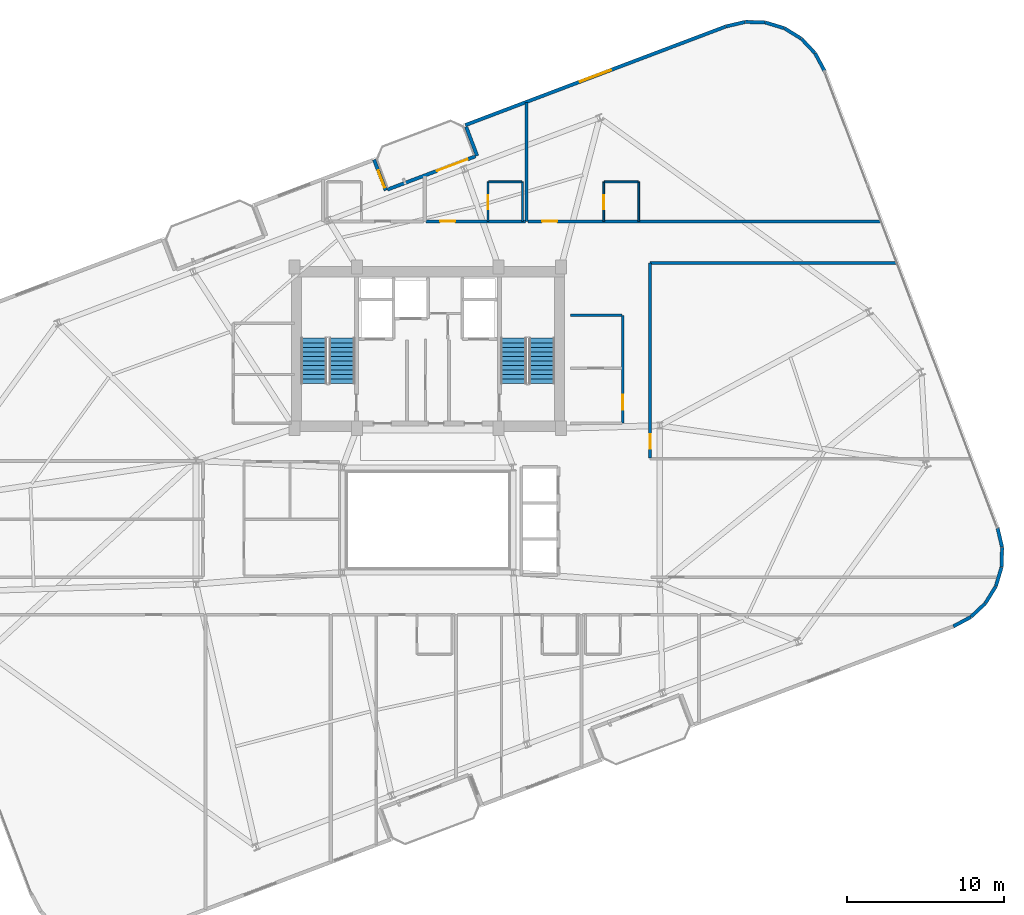
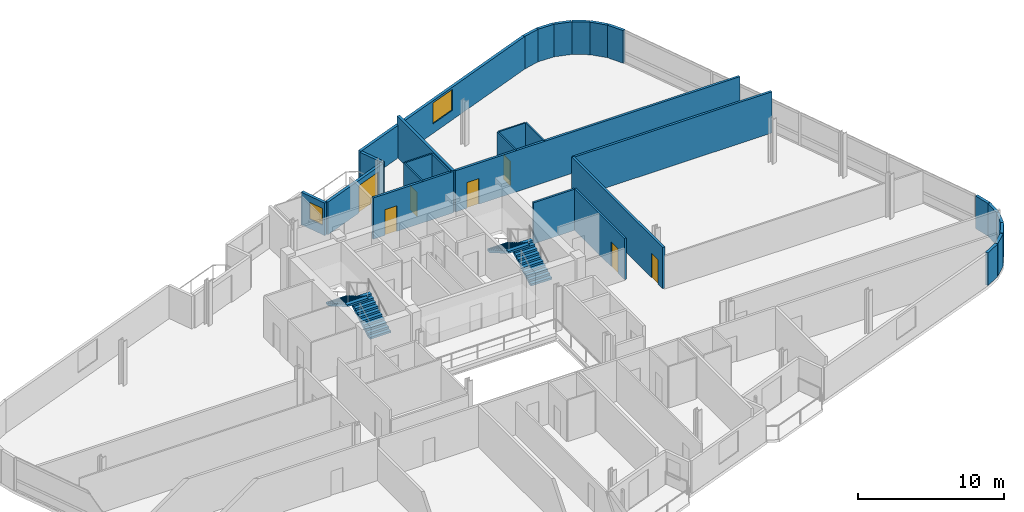
# One storey, part 17 of 20: 29 walls, 7 doors, 4 stair flights, 2 windows, 9 openings, 2 elements without a shape of their own.
"""IFC4 building model written with IfcOpenShell, lengths in metres."""

from ifc_helpers import new_model, si_unit, direction, frame, frame_2d, origin, place, context, subcontext, project, spatial, polyline, rectangle, outline, extrude, material, layer, layer_set, type_object, element, fill, aggregate, save


model = new_model("IFC4")

# Units and contexts
model_context = context("Model", 3, precision=1e-05, world=origin(), true_north=direction((0.0, 1.0)))
body_context = subcontext(model_context, "Body", "Model", "MODEL_VIEW")
ifc_project = project(units=[si_unit("LENGTHUNIT", "METRE"), si_unit("AREAUNIT", "SQUARE_METRE"), si_unit("VOLUMEUNIT", "CUBIC_METRE"), si_unit("PLANEANGLEUNIT", "RADIAN"), si_unit("MASSUNIT", "GRAM", prefix="KILO")], contexts=[model_context])

# Site, building, storey
site_placement = place(None, origin())
site = spatial("IfcSite", under=ifc_project, at=site_placement, CompositionType="ELEMENT")
building_placement = place(site_placement, origin())
building = spatial("IfcBuilding", under=site, at=building_placement, Name="Varnelok Gate Tower", CompositionType="ELEMENT")
storey_placement = place(building_placement, frame((0.0, 0.0, 234.89990234375)))
storey = spatial("IfcBuildingStorey", under=building, at=storey_placement, Name="L60", CompositionType="ELEMENT", Elevation=234.89990234375)

# Wall, opening, door
ifc_material_1 = material(Name="Concrete C45/55", Category="concrete")
ifc_layer_1 = layer(ifc_material_1, 0.219970703125)
ifc_layer_set_1 = layer_set([ifc_layer_1], Name="Concrete C45/55")
wall_type_1 = type_object("IfcWallType", Name="EW-BALC-220", PredefinedType="SOLIDWALL", material=ifc_layer_set_1)
wall_1_placement = place(storey_placement, frame((36.61669921875, 43.98583984375, 0.0), z_axis=(0.0, 0.0, 1.0), x_axis=(0.935227640088, 0.354046976001, 0.0)))
wall_1 = element("IfcWall", 1, at=wall_1_placement, inside=storey, type_object=wall_type_1, Name="L60 North Terrace Envelope Wall 4", PredefinedType="SOLIDWALL", context=body_context, shape_type="SweptSolid", body=[
    extrude(rectangle(XDim=6.0, YDim=0.219970703125, at=frame_2d((3.0, 0.0))), origin(), (0.0, 0.0, 1.0), 2.72998046875),
])
opening_1_placement = place(wall_1_placement, frame((3.376220703125, 0.0, 0.0)))
opening_1 = element("IfcOpeningElement", 2, at=opening_1_placement, cuts=wall_1, Name="Opening BD-2", PredefinedType="OPENING", context=body_context, shape_type="SweptSolid", body=[
    extrude(rectangle(XDim=2.10009765625, YDim=2.300048828125, at=frame_2d((1.050048828125, 1.14990234375))), frame((0.0, 0.119873046875, 0.0), z_axis=(0.0, -1.0, 0.0), x_axis=(1.0, 0.0, 0.0)), (0.0, 0.0, 1.0), 0.239990234375),
])
ifc_material_2 = material(Name="Anodized Aluminum Alloy 6063-T6", Category="aluminium")
door_type_1 = type_object("IfcDoorType", Name="DR-EXT-SLID2100", OperationType="SLIDING_TO_LEFT", PredefinedType="DOOR", material=ifc_material_2)
door_1_placement = place(opening_1_placement, origin())
door_1 = element("IfcDoor", 3, at=door_1_placement, inside=storey, type_object=door_type_1, Name="L60 North Balcony Glazed Door 4", OperationType="SLIDING_TO_LEFT", OverallHeight=2.300048828125, OverallWidth=2.10009765625, PredefinedType="DOOR", context=body_context, shape_type="SweptSolid", body=[
    extrude(rectangle(XDim=2.10009765625, YDim=2.300048828125, at=frame_2d((1.050048828125, 1.14990234375))), frame((0.0, 0.02490234375, 0.0), z_axis=(0.0, -1.0, 0.0), x_axis=(1.0, 0.0, 0.0)), (0.0, 0.0, 1.0), 0.050048828125),
])
fill(opening_1, door_1)

# Walls
wall_2_placement = place(storey_placement, frame((72.74560546875, 16.10498046875, 0.0), z_axis=(0.0, 0.0, 1.0), x_axis=(0.881112879796, 0.472906008693, 0.0)))
element("IfcWall", 4, at=wall_2_placement, inside=storey, type_object=wall_type_1, Name="L60 Perimeter Facade Closure Wall 14", PredefinedType="SOLIDWALL", context=body_context, shape_type="SweptSolid", body=[
    extrude(rectangle(XDim=1.256591796875, YDim=0.219970703125, at=frame_2d((0.62841796875, 0.0))), origin(), (0.0, 0.0, 1.0), 2.72998046875),
])
wall_3_placement = place(storey_placement, frame((73.870849609375, 16.716552734375, 0.0), z_axis=(0.0, 0.0, 1.0), x_axis=(0.728475443486, 0.685071914647, 0.0)))
element("IfcWall", 5, at=wall_3_placement, inside=storey, type_object=wall_type_1, Name="L60 Perimeter Facade Closure Wall 15", PredefinedType="SOLIDWALL", context=body_context, shape_type="SweptSolid", body=[
    extrude(rectangle(XDim=1.248779296875, YDim=0.219970703125, at=frame_2d((0.62451171875, 0.0))), origin(), (0.0, 0.0, 1.0), 2.72998046875),
])
for number, where, z_axis, x_axis, name in (
    (6, (74.793701171875, 17.59326171875, 0.0), (0.0, 0.0, 1.0), (0.526549805576, 0.850144283194, 0.0), "L60 Perimeter Facade Closure Wall 16"),
    (7, (75.458251953125, 18.6787109375, 0.0), (0.0, 0.0, 1.0), (0.288406081086, 0.957508189204, 0.0), "L60 Perimeter Facade Closure Wall 17"),
):
    element("IfcWall", number, at=place(storey_placement, frame(where, z_axis=z_axis, x_axis=x_axis)), inside=storey, type_object=wall_type_1, Name=name, PredefinedType="SOLIDWALL", context=body_context, shape_type="SweptSolid", body=[
        extrude(rectangle(XDim=1.24853515625, YDim=0.219970703125, at=frame_2d((0.624267578125, 0.0))), origin(), (0.0, 0.0, 1.0), 2.72998046875),
    ])
wall_4_placement = place(storey_placement, frame((75.819091796875, 19.8994140625, 0.0), z_axis=(0.0, 0.0, 1.0), x_axis=(0.030898954628, 0.999522513305, 0.0)))
element("IfcWall", 8, at=wall_4_placement, inside=storey, type_object=wall_type_1, Name="L60 Perimeter Facade Closure Wall 18", PredefinedType="SOLIDWALL", context=body_context, shape_type="SweptSolid", body=[
    extrude(rectangle(XDim=1.248291015625, YDim=0.219970703125, at=frame_2d((0.6240234375, 0.0))), origin(), (0.0, 0.0, 1.0), 2.72998046875),
])
wall_5_placement = place(storey_placement, frame((75.851806640625, 21.171630859375, 0.0), z_axis=(0.0, 0.0, 1.0), x_axis=(-0.228941257463, 0.973440239887, 0.0)))
element("IfcWall", 9, at=wall_5_placement, inside=storey, type_object=wall_type_1, Name="L60 Perimeter Facade Closure Wall 19", PredefinedType="SOLIDWALL", context=body_context, shape_type="SweptSolid", body=[
    extrude(rectangle(XDim=1.248779296875, YDim=0.219970703125, at=frame_2d((0.62451171875, 0.0))), origin(), (0.0, 0.0, 1.0), 2.72998046875),
])
wall_6_placement = place(storey_placement, frame((64.519287109375, 51.566162109375, 0.0), z_axis=(0.0, 0.0, 1.0), x_axis=(-0.473093575122, 0.881012184466, 0.0)))
element("IfcWall", 10, at=wall_6_placement, inside=storey, type_object=wall_type_1, Name="L60 Perimeter Facade Closure Wall 20", PredefinedType="SOLIDWALL", context=body_context, shape_type="SweptSolid", body=[
    extrude(rectangle(XDim=1.273681640625, YDim=0.219970703125, at=frame_2d((0.63671875, 0.0))), origin(), (0.0, 0.0, 1.0), 2.72998046875),
])
for number, where, z_axis, x_axis, name in (
    (11, (63.8994140625, 52.706298828125, 0.0), (0.0, 0.0, 1.0), (-0.684870565369, 0.728664743686, 0.0), "L60 Perimeter Facade Closure Wall 21"),
    (12, (63.02294921875, 53.629150390625, 0.0), (0.0, 0.0, 1.0), (-0.850198480006, 0.526462291712, 0.0), "L60 Perimeter Facade Closure Wall 22"),
):
    element("IfcWall", number, at=place(storey_placement, frame(where, z_axis=z_axis, x_axis=x_axis)), inside=storey, type_object=wall_type_1, Name=name, PredefinedType="SOLIDWALL", context=body_context, shape_type="SweptSolid", body=[
        extrude(rectangle(XDim=1.248779296875, YDim=0.219970703125, at=frame_2d((0.62451171875, 0.0))), origin(), (0.0, 0.0, 1.0), 2.72998046875),
    ])
for number, where, z_axis, x_axis, name in (
    (13, (61.937255859375, 54.293701171875, 0.0), (0.0, 0.0, 1.0), (-0.957508189204, 0.288406081086, 0.0), "L60 Perimeter Facade Closure Wall 23"),
    (14, (60.716796875, 54.65478515625, 0.0), (0.0, 0.0, 1.0), (-0.999528718359, 0.030697576053, 0.0), "L60 Perimeter Facade Closure Wall 24"),
):
    element("IfcWall", number, at=place(storey_placement, frame(where, z_axis=z_axis, x_axis=x_axis)), inside=storey, type_object=wall_type_1, Name=name, PredefinedType="SOLIDWALL", context=body_context, shape_type="SweptSolid", body=[
        extrude(rectangle(XDim=1.24853515625, YDim=0.219970703125, at=frame_2d((0.624267578125, 0.0))), origin(), (0.0, 0.0, 1.0), 2.72998046875),
    ])
wall_7_placement = place(storey_placement, frame((59.4443359375, 54.6875, 0.0), z_axis=(0.0, 0.0, 1.0), x_axis=(-0.973409523464, -0.229071821989, 0.0)))
element("IfcWall", 15, at=wall_7_placement, inside=storey, type_object=wall_type_1, Name="L60 Perimeter Facade Closure Wall 25", PredefinedType="SOLIDWALL", context=body_context, shape_type="SweptSolid", body=[
    extrude(rectangle(XDim=1.256591796875, YDim=0.219970703125, at=frame_2d((0.62841796875, 0.0))), origin(), (0.0, 0.0, 1.0), 2.72998046875),
])

# Wall, opening, window
wall_8_placement = place(storey_placement, frame((58.19775390625, 54.390869140625, 0.0), z_axis=(0.0, 0.0, 1.0), x_axis=(-0.935223849772, -0.354056988094, 0.0)))
wall_8 = element("IfcWall", 16, at=wall_8_placement, inside=storey, type_object=wall_type_1, Name="L60 Perimeter Facade Closure Wall 26", PredefinedType="SOLIDWALL", context=body_context, shape_type="SweptSolid", body=[
    extrude(rectangle(XDim=17.7470703125, YDim=0.219970703125, at=frame_2d((8.87353515625, 0.0))), origin(), (0.0, 0.0, 1.0), 2.72998046875),
])
opening_2_placement = place(wall_8_placement, frame((7.823486328125, 0.0, 0.800048828125)))
opening_2 = element("IfcOpeningElement", 17, at=opening_2_placement, cuts=wall_8, Name="Opening WN4", PredefinedType="OPENING", context=body_context, shape_type="SweptSolid", body=[
    extrude(rectangle(XDim=2.10009765625, YDim=1.75, at=frame_2d((1.050048828125, 0.875))), frame((0.0, 0.119873046875, 0.0), z_axis=(0.0, -1.0, 0.0), x_axis=(1.0, 0.0, 0.0)), (0.0, 0.0, 1.0), 0.239990234375),
])
ifc_material_3 = material(Name="Low-E Laminated Double Glazing IGU", Category="glass")
window_type_1 = type_object("IfcWindowType", Name="WN-SUI-2100", PartitioningType="SINGLE_PANEL", PredefinedType="WINDOW", material=ifc_material_3)
window_1_placement = place(opening_2_placement, origin())
window_1 = element("IfcWindow", 18, at=window_1_placement, inside=storey, type_object=window_type_1, Name="L60 Perimeter Vision Window 26", OverallHeight=1.75, OverallWidth=2.10009765625, PartitioningType="SINGLE_PANEL", PredefinedType="WINDOW", context=body_context, shape_type="SweptSolid", body=[
    extrude(rectangle(XDim=2.10009765625, YDim=1.75, at=frame_2d((1.050048828125, 0.875))), frame((0.0, 0.030029296875, 0.0), z_axis=(0.0, -1.0, 0.0), x_axis=(1.0, 0.0, 0.0)), (0.0, 0.0, 1.0), 0.06005859375),
])
fill(opening_2, window_1)

# Wall
wall_9_placement = place(storey_placement, frame((41.64453125, 47.990478515625, 0.0), z_axis=(0.0, 0.0, 1.0), x_axis=(0.354020680661, -0.935237594232, 0.0)))
element("IfcWall", 19, at=wall_9_placement, inside=storey, type_object=wall_type_1, Name="L60 Perimeter Facade Closure Wall 27", PredefinedType="SOLIDWALL", context=body_context, shape_type="SweptSolid", body=[
    extrude(rectangle(XDim=1.97509765625, YDim=0.219970703125, at=frame_2d((0.987548828125, 0.0))), origin(), (0.0, 0.0, 1.0), 2.72998046875),
])

# Wall, opening, window
wall_10_placement = place(storey_placement, frame((36.508056640625, 43.93408203125, 0.0), z_axis=(0.0, 0.0, 1.0), x_axis=(-0.354128469405, 0.935196785258, 0.0)))
wall_10 = element("IfcWall", 20, at=wall_10_placement, inside=storey, type_object=wall_type_1, Name="L60 Perimeter Facade Closure Wall 28", PredefinedType="SOLIDWALL", context=body_context, shape_type="SweptSolid", body=[
    extrude(rectangle(XDim=2.099853515625, YDim=0.219970703125, at=frame_2d((1.0498046875, 0.0))), origin(), (0.0, 0.0, 1.0), 2.72998046875),
])
opening_3_placement = place(wall_10_placement, frame((0.199951171875, 0.0, 0.800048828125)))
opening_3 = element("IfcOpeningElement", 21, at=opening_3_placement, cuts=wall_10, Name="Opening WN8", PredefinedType="OPENING", context=body_context, shape_type="SweptSolid", body=[
    extrude(rectangle(XDim=1.14990234375, YDim=1.39990234375, at=frame_2d((0.574951171875, 0.699951171875))), frame((0.0, 0.119873046875, 0.0), z_axis=(0.0, -1.0, 0.0), x_axis=(1.0, 0.0, 0.0)), (0.0, 0.0, 1.0), 0.239990234375),
])
window_type_2 = type_object("IfcWindowType", Name="WN-BED-1150", PartitioningType="SINGLE_PANEL", PredefinedType="WINDOW", material=ifc_material_3)
window_2_placement = place(opening_3_placement, origin())
window_2 = element("IfcWindow", 22, at=window_2_placement, inside=storey, type_object=window_type_2, Name="L60 Bedroom Vision Window 42", OverallHeight=1.39990234375, OverallWidth=1.14990234375, PartitioningType="SINGLE_PANEL", PredefinedType="WINDOW", context=body_context, shape_type="SweptSolid", body=[
    extrude(rectangle(XDim=1.14990234375, YDim=1.39990234375, at=frame_2d((0.574951171875, 0.699951171875))), frame((0.0, 0.030029296875, 0.0), z_axis=(0.0, -1.0, 0.0), x_axis=(1.0, 0.0, 0.0)), (0.0, 0.0, 1.0), 0.06005859375),
])
fill(opening_3, window_2)

# Wall, opening, door
ifc_material_4 = material(Name="Gypsum Plasterboard Acoustic Partition", Category="gypsum")
ifc_layer_2 = layer(ifc_material_4, 0.179931640625)
ifc_layer_set_2 = layer_set([ifc_layer_2], Name="Gypsum Plasterboard Acoustic Partition")
wall_type_2 = type_object("IfcWallType", Name="PW-CORR-180", PredefinedType="PARTITIONING", material=ifc_layer_set_2)
wall_11_placement = place(storey_placement, frame((39.080078125, 41.9599609375, 0.0), z_axis=(0.0, 0.0, 1.0), x_axis=(1.0, 0.0, 0.0)))
wall_11 = element("IfcWall", 23, at=wall_11_placement, inside=storey, type_object=wall_type_2, Name="Interior Partition", PredefinedType="PARTITIONING", context=body_context, shape_type="SweptSolid", body=[
    extrude(rectangle(XDim=6.33984375, YDim=0.179931640625, at=frame_2d((3.169921875, 0.0))), origin(), (0.0, 0.0, 1.0), 3.4501953125),
])
opening_4_placement = place(wall_11_placement, frame((0.90966796875, 0.0, 0.0)))
opening_4 = element("IfcOpeningElement", 24, at=opening_4_placement, cuts=wall_11, Name="Opening D-HT", PredefinedType="OPENING", context=body_context, shape_type="SweptSolid", body=[
    extrude(rectangle(XDim=0.949951171875, YDim=2.14990234375, at=frame_2d((0.47509765625, 1.074951171875))), frame((0.0, 0.099853515625, 0.0), z_axis=(0.0, -1.0, 0.0), x_axis=(1.0, 0.0, 0.0)), (0.0, 0.0, 1.0), 0.199951171875),
])
ifc_material_5 = material(Name="Engineered Hardwood Timber", Category="wood")
door_type_2 = type_object("IfcDoorType", Name="DR-HTL-950", OperationType="NOTDEFINED", PredefinedType="DOOR", material=ifc_material_5)
door_2_placement = place(opening_4_placement, origin())
door_2 = element("IfcDoor", 25, at=door_2_placement, inside=storey, type_object=door_type_2, Name="L60 Guest Room 09 Entrance Door", OperationType="SINGLE_SWING_RIGHT", OverallHeight=2.14990234375, OverallWidth=0.949951171875, PredefinedType="DOOR", context=body_context, shape_type="SweptSolid", body=[
    extrude(rectangle(XDim=0.949951171875, YDim=2.14990234375, at=frame_2d((0.47509765625, 1.074951171875))), frame((0.0, 0.02490234375, 0.0), z_axis=(0.0, -1.0, 0.0), x_axis=(1.0, 0.0, 0.0)), (0.0, 0.0, 1.0), 0.050048828125),
])
fill(opening_4, door_2)

wall_12_placement = place(storey_placement, frame((45.580078125, 41.9599609375, 0.0), z_axis=(0.0, 0.0, 1.0), x_axis=(1.0, 0.0, 0.0)))
wall_12 = element("IfcWall", 26, at=wall_12_placement, inside=storey, type_object=wall_type_2, Name="Interior Partition", PredefinedType="PARTITIONING", context=body_context, shape_type="SweptSolid", body=[
    extrude(rectangle(XDim=22.515625, YDim=0.179931640625, at=frame_2d((11.2578125, 0.0))), origin(), (0.0, 0.0, 1.0), 3.4501953125),
])
opening_5_placement = place(wall_12_placement, frame((0.916015625, 0.0, 0.0)))
opening_5 = element("IfcOpeningElement", 27, at=opening_5_placement, cuts=wall_12, Name="Opening D-HT", PredefinedType="OPENING", context=body_context, shape_type="SweptSolid", body=[
    extrude(rectangle(XDim=0.949951171875, YDim=2.14990234375, at=frame_2d((0.47509765625, 1.074951171875))), frame((0.0, 0.099853515625, 0.0), z_axis=(0.0, -1.0, 0.0), x_axis=(1.0, 0.0, 0.0)), (0.0, 0.0, 1.0), 0.199951171875),
])
door_3_placement = place(opening_5_placement, origin())
door_3 = element("IfcDoor", 28, at=door_3_placement, inside=storey, type_object=door_type_2, Name="L60 Guest Room 10 Entrance Door", OperationType="SINGLE_SWING_LEFT", OverallHeight=2.14990234375, OverallWidth=0.949951171875, PredefinedType="DOOR", context=body_context, shape_type="SweptSolid", body=[
    extrude(rectangle(XDim=0.949951171875, YDim=2.14990234375, at=frame_2d((0.47509765625, 1.074951171875))), frame((0.0, 0.02490234375, 0.0), z_axis=(0.0, -1.0, 0.0), x_axis=(1.0, 0.0, 0.0)), (0.0, 0.0, 1.0), 0.050048828125),
])
fill(opening_5, door_3)

wall_13_placement = place(storey_placement, frame((53.389892578125, 26.840087890625, 0.0), z_axis=(0.0, 0.0, 1.0), x_axis=(0.0, 1.0, 0.0)))
wall_13 = element("IfcWall", 29, at=wall_13_placement, inside=storey, type_object=wall_type_2, Name="Interior Partition", PredefinedType="PARTITIONING", context=body_context, shape_type="SweptSolid", body=[
    extrude(rectangle(XDim=12.4599609375, YDim=0.179931640625, at=frame_2d((6.22998046875, 0.0))), origin(), (0.0, 0.0, 1.0), 3.4501953125),
])
opening_6_placement = place(wall_13_placement, frame((0.6181640625, 0.0, 0.0)))
opening_6 = element("IfcOpeningElement", 30, at=opening_6_placement, cuts=wall_13, Name="Opening D-I3", PredefinedType="OPENING", context=body_context, shape_type="SweptSolid", body=[
    extrude(rectangle(XDim=0.919921875, YDim=2.050048828125, at=frame_2d((0.4599609375, 1.02490234375))), frame((0.0, 0.099853515625, 0.0), z_axis=(0.0, -1.0, 0.0), x_axis=(1.0, 0.0, 0.0)), (0.0, 0.0, 1.0), 0.199951171875),
])
door_type_3 = type_object("IfcDoorType", Name="DR-INT-920", OperationType="NOTDEFINED", PredefinedType="DOOR", material=ifc_material_5)
door_4_placement = place(opening_6_placement, origin())
door_4 = element("IfcDoor", 31, at=door_4_placement, inside=storey, type_object=door_type_3, Name="L60 East Playroom Door", OperationType="SINGLE_SWING_LEFT", OverallHeight=2.050048828125, OverallWidth=0.919921875, PredefinedType="DOOR", context=body_context, shape_type="SweptSolid", body=[
    extrude(rectangle(XDim=0.919921875, YDim=2.050048828125, at=frame_2d((0.4599609375, 1.02490234375))), frame((0.0, 0.02490234375, 0.0), z_axis=(0.0, -1.0, 0.0), x_axis=(1.0, 0.0, 0.0)), (0.0, 0.0, 1.0), 0.050048828125),
])
fill(opening_6, door_4)

# Walls
wall_14_placement = place(storey_placement, frame((53.389892578125, 39.300048828125, 0.0), z_axis=(0.0, 0.0, 1.0), x_axis=(1.0, 0.0, 0.0)))
element("IfcWall", 32, at=wall_14_placement, inside=storey, type_object=wall_type_2, Name="Interior Partition", PredefinedType="PARTITIONING", context=body_context, shape_type="SweptSolid", body=[
    extrude(rectangle(XDim=15.712890625, YDim=0.179931640625, at=frame_2d((7.8564453125, 0.0))), origin(), (0.0, 0.0, 1.0), 3.4501953125),
])
ifc_layer_3 = layer(ifc_material_4, 0.114990234375)
ifc_layer_set_3 = layer_set([ifc_layer_3], Name="Gypsum Plasterboard Acoustic Partition")
wall_type_3 = type_object("IfcWallType", Name="PW-ENS-125", PredefinedType="PARTITIONING", material=ifc_layer_set_3)
wall_15_placement = place(storey_placement, frame((43.075927734375, 44.47998046875, 0.0), z_axis=(0.0, 0.0, 1.0), x_axis=(1.0, 0.0, 0.0)))
element("IfcWall", 33, at=wall_15_placement, inside=storey, type_object=wall_type_3, Name="Interior Partition", PredefinedType="PARTITIONING", context=body_context, shape_type="SweptSolid", body=[
    extrude(rectangle(XDim=2.1240234375, YDim=0.114990234375, at=frame_2d((1.06201171875, 0.0))), origin(), (0.0, 0.0, 1.0), 3.4501953125),
])

# Wall, opening, door
wall_16_placement = place(storey_placement, frame((43.035888671875, 41.9599609375, 0.0), z_axis=(0.0, 0.0, 1.0), x_axis=(0.0, 1.0, 0.0)))
wall_16 = element("IfcWall", 34, at=wall_16_placement, inside=storey, type_object=wall_type_3, Name="Interior Partition", PredefinedType="PARTITIONING", context=body_context, shape_type="SweptSolid", body=[
    extrude(rectangle(XDim=2.52001953125, YDim=0.114990234375, at=frame_2d((1.260009765625, 0.0))), origin(), (0.0, 0.0, 1.0), 3.4501953125),
])
opening_7_placement = place(wall_16_placement, frame((0.760009765625, 0.0, 0.0)))
opening_7 = element("IfcOpeningElement", 35, at=opening_7_placement, cuts=wall_16, Name="Opening D-WC", PredefinedType="OPENING", context=body_context, shape_type="SweptSolid", body=[
    extrude(rectangle(XDim=0.89990234375, YDim=2.050048828125, at=frame_2d((0.449951171875, 1.02490234375))), frame((0.0, 0.0673828125, 0.0), z_axis=(0.0, -1.0, 0.0), x_axis=(1.0, 0.0, 0.0)), (0.0, 0.0, 1.0), 0.135009765625),
])
door_type_4 = type_object("IfcDoorType", Name="DR-BATH-900", OperationType="NOTDEFINED", PredefinedType="DOOR", material=ifc_material_5)
door_5_placement = place(opening_7_placement, origin())
door_5 = element("IfcDoor", 36, at=door_5_placement, inside=storey, type_object=door_type_4, Name="L60 North En-Suite 09 Door", OperationType="SINGLE_SWING_LEFT", OverallHeight=2.050048828125, OverallWidth=0.89990234375, PredefinedType="DOOR", context=body_context, shape_type="SweptSolid", body=[
    extrude(rectangle(XDim=0.89990234375, YDim=2.050048828125, at=frame_2d((0.449951171875, 1.02490234375))), frame((0.0, 0.02490234375, 0.0), z_axis=(0.0, -1.0, 0.0), x_axis=(1.0, 0.0, 0.0)), (0.0, 0.0, 1.0), 0.050048828125),
])
fill(opening_7, door_5)

# Walls
wall_17_placement = place(storey_placement, frame((45.239990234375, 41.9599609375, 0.0), z_axis=(0.0, 0.0, 1.0), x_axis=(0.0, 1.0, 0.0)))
element("IfcWall", 37, at=wall_17_placement, inside=storey, type_object=wall_type_3, Name="Interior Partition", PredefinedType="PARTITIONING", context=body_context, shape_type="SweptSolid", body=[
    extrude(rectangle(XDim=2.52001953125, YDim=0.114990234375, at=frame_2d((1.260009765625, 0.0))), origin(), (0.0, 0.0, 1.0), 3.4501953125),
])
wall_18_placement = place(storey_placement, frame((50.469970703125, 44.47998046875, 0.0), z_axis=(0.0, 0.0, 1.0), x_axis=(1.0, 0.0, 0.0)))
element("IfcWall", 38, at=wall_18_placement, inside=storey, type_object=wall_type_3, Name="Interior Partition", PredefinedType="PARTITIONING", context=body_context, shape_type="SweptSolid", body=[
    extrude(rectangle(XDim=2.150146484375, YDim=0.114990234375, at=frame_2d((1.0751953125, 0.0))), origin(), (0.0, 0.0, 1.0), 3.4501953125),
])

# Wall, opening, door
wall_19_placement = place(storey_placement, frame((50.429931640625, 41.9599609375, 0.0), z_axis=(0.0, 0.0, 1.0), x_axis=(0.0, 1.0, 0.0)))
wall_19 = element("IfcWall", 39, at=wall_19_placement, inside=storey, type_object=wall_type_3, Name="Interior Partition", PredefinedType="PARTITIONING", context=body_context, shape_type="SweptSolid", body=[
    extrude(rectangle(XDim=2.52001953125, YDim=0.114990234375, at=frame_2d((1.260009765625, 0.0))), origin(), (0.0, 0.0, 1.0), 3.4501953125),
])
opening_8_placement = place(wall_19_placement, frame((0.760009765625, 0.0, 0.0)))
opening_8 = element("IfcOpeningElement", 40, at=opening_8_placement, cuts=wall_19, Name="Opening D-WC", PredefinedType="OPENING", context=body_context, shape_type="SweptSolid", body=[
    extrude(rectangle(XDim=0.89990234375, YDim=2.050048828125, at=frame_2d((0.449951171875, 1.02490234375))), frame((0.0, 0.0673828125, 0.0), z_axis=(0.0, -1.0, 0.0), x_axis=(1.0, 0.0, 0.0)), (0.0, 0.0, 1.0), 0.135009765625),
])
door_6_placement = place(opening_8_placement, origin())
door_6 = element("IfcDoor", 41, at=door_6_placement, inside=storey, type_object=door_type_4, Name="L60 North En-Suite 10 Door", OperationType="SINGLE_SWING_LEFT", OverallHeight=2.050048828125, OverallWidth=0.89990234375, PredefinedType="DOOR", context=body_context, shape_type="SweptSolid", body=[
    extrude(rectangle(XDim=0.89990234375, YDim=2.050048828125, at=frame_2d((0.449951171875, 1.02490234375))), frame((0.0, 0.02490234375, 0.0), z_axis=(0.0, -1.0, 0.0), x_axis=(1.0, 0.0, 0.0)), (0.0, 0.0, 1.0), 0.050048828125),
])
fill(opening_8, door_6)

# Walls
wall_20_placement = place(storey_placement, frame((52.659912109375, 41.9599609375, 0.0), z_axis=(0.0, 0.0, 1.0), x_axis=(0.0, 1.0, 0.0)))
element("IfcWall", 42, at=wall_20_placement, inside=storey, type_object=wall_type_3, Name="Interior Partition", PredefinedType="PARTITIONING", context=body_context, shape_type="SweptSolid", body=[
    extrude(rectangle(XDim=2.52001953125, YDim=0.114990234375, at=frame_2d((1.260009765625, 0.0))), origin(), (0.0, 0.0, 1.0), 3.4501953125),
])
ifc_layer_4 = layer(ifc_material_4, 0.14990234375)
ifc_layer_set_4 = layer_set([ifc_layer_4], Name="Gypsum Plasterboard Acoustic Partition")
wall_type_4 = type_object("IfcWallType", Name="PW-PART-150", PredefinedType="PARTITIONING", material=ifc_layer_set_4)
wall_21_placement = place(storey_placement, frame((48.300048828125, 35.9599609375, 0.0), z_axis=(0.0, 0.0, 1.0), x_axis=(1.0, 0.0, 0.0)))
element("IfcWall", 43, at=wall_21_placement, inside=storey, type_object=wall_type_4, Name="Interior Partition", PredefinedType="PARTITIONING", context=body_context, shape_type="SweptSolid", body=[
    extrude(rectangle(XDim=3.280029296875, YDim=0.14990234375, at=frame_2d((1.64013671875, 0.0))), origin(), (0.0, 0.0, 1.0), 3.4501953125),
])

# Wall, opening, door
wall_22_placement = place(storey_placement, frame((51.639892578125, 29.080078125, 0.0), z_axis=(0.0, 0.0, 1.0), x_axis=(0.0, 1.0, 0.0)))
wall_22 = element("IfcWall", 44, at=wall_22_placement, inside=storey, type_object=wall_type_4, Name="Interior Partition", PredefinedType="PARTITIONING", context=body_context, shape_type="SweptSolid", body=[
    extrude(rectangle(XDim=6.8798828125, YDim=0.14990234375, at=frame_2d((3.43994140625, 0.0))), origin(), (0.0, 0.0, 1.0), 3.4501953125),
])
opening_9_placement = place(wall_22_placement, frame((0.85009765625, 0.0, 0.0)))
opening_9 = element("IfcOpeningElement", 45, at=opening_9_placement, cuts=wall_22, Name="Opening D-I2", PredefinedType="OPENING", context=body_context, shape_type="SweptSolid", body=[
    extrude(rectangle(XDim=0.949951171875, YDim=2.050048828125, at=frame_2d((0.47509765625, 1.02490234375))), frame((0.0, 0.0849609375, 0.0), z_axis=(0.0, -1.0, 0.0), x_axis=(1.0, 0.0, 0.0)), (0.0, 0.0, 1.0), 0.169921875),
])
door_type_5 = type_object("IfcDoorType", Name="DR-INT-950", OperationType="NOTDEFINED", PredefinedType="DOOR", material=ifc_material_5)
door_7_placement = place(opening_9_placement, origin())
door_7 = element("IfcDoor", 46, at=door_7_placement, inside=storey, type_object=door_type_5, Name="L60 Reclaimed Wine Storage Door", OperationType="SINGLE_SWING_RIGHT", OverallHeight=2.050048828125, OverallWidth=0.949951171875, PredefinedType="DOOR", context=body_context, shape_type="SweptSolid", body=[
    extrude(rectangle(XDim=0.949951171875, YDim=2.050048828125, at=frame_2d((0.47509765625, 1.02490234375))), frame((0.0, 0.02490234375, 0.0), z_axis=(0.0, -1.0, 0.0), x_axis=(1.0, 0.0, 0.0)), (0.0, 0.0, 1.0), 0.050048828125),
])
fill(opening_9, door_7)

# Wall
ifc_layer_5 = layer(ifc_material_4, 0.205078125)
ifc_layer_set_5 = layer_set([ifc_layer_5], Name="Gypsum Plasterboard Acoustic Partition")
wall_type_5 = type_object("IfcWallType", Name="PW-PARTY-200", PredefinedType="PARTITIONING", material=ifc_layer_set_5)
wall_23_placement = place(storey_placement, frame((45.5, 41.9599609375, 0.0), z_axis=(0.0, 0.0, 1.0), x_axis=(0.0, 1.0, 0.0)))
element("IfcWall", 47, at=wall_23_placement, inside=storey, type_object=wall_type_5, Name="L60 North Party Wall 3", PredefinedType="PARTITIONING", context=body_context, shape_type="SweptSolid", body=[
    extrude(rectangle(XDim=7.602294921875, YDim=0.205078125, at=frame_2d((3.80126953125, 0.0))), origin(), (0.0, 0.0, 1.0), 3.4501953125),
])

# Stair, stair flights
ifc_material_6 = material(Name="Concrete C50/60", Category="concrete")
stair_type = type_object("IfcStairType", Name="STR-CORE-1650", PredefinedType="HALF_TURN_STAIR", material=ifc_material_6)
stair_1_placement = place(storey_placement, origin())
stair_1 = element("IfcStair", 48, at=stair_1_placement, inside=storey, type_object=stair_type, Name="L60 Exit Stair ST-1", PredefinedType="HALF_TURN_STAIR")
stair_flight_type = type_object("IfcStairFlightType", Name="SFL-CORE-1650", PredefinedType="STRAIGHT", material=ifc_material_6)
stair_flight_1_placement = place(storey_placement, frame((33.72509765625, 31.60009765625, 0.0), z_axis=(0.0, 0.0, 1.0), x_axis=(0.0, 1.0, 0.0)))
stair_flight_1 = element("IfcStairFlight", 49, at=stair_flight_1_placement, type_object=stair_flight_type, Name="ST-1 flight 1", NumberOfRisers=11, NumberOfTreads=10, PredefinedType="STRAIGHT", RiserHeight=0.168181818, TreadLength=0.29, context=body_context, shape_type="SweptSolid", body=[
    extrude(outline(polyline([(0.0, 0.0), (0.0, 0.168212890625), (0.2900390625, 0.168212890625), (0.2900390625, 0.33642578125), (0.580078125, 0.33642578125), (0.580078125, 0.504638671875), (0.8701171875, 0.504638671875), (0.8701171875, 0.672607421875), (1.159912109375, 0.672607421875), (1.159912109375, 0.8408203125), (1.449951171875, 0.8408203125), (1.449951171875, 1.009033203125), (1.739990234375, 1.009033203125), (1.739990234375, 1.17724609375), (2.030029296875, 1.17724609375), (2.030029296875, 1.345458984375), (2.320068359375, 1.345458984375), (2.320068359375, 1.513671875), (2.610107421875, 1.513671875), (2.610107421875, 1.681884765625), (2.89990234375, 1.681884765625), (2.89990234375, 1.85009765625), (2.89990234375, 1.508544921875), (0.298828125, 0.0), (0.0, 0.0)])), frame((0.0, 0.824951171875, 0.0), z_axis=(0.0, -1.0, 0.0), x_axis=(1.0, 0.0, 0.0)), (0.0, 0.0, 1.0), 1.64990234375),
])
stair_flight_2_placement = place(storey_placement, frame((31.925048828125, 34.5, 1.85009765625), z_axis=(0.0, 0.0, 1.0), x_axis=(0.0, -1.0, 0.0)))
stair_flight_2 = element("IfcStairFlight", 50, at=stair_flight_2_placement, type_object=stair_flight_type, Name="ST-1 flight 2", NumberOfRisers=11, NumberOfTreads=10, PredefinedType="STRAIGHT", RiserHeight=0.168181818, TreadLength=0.29, context=body_context, shape_type="SweptSolid", body=[
    extrude(outline(polyline([(0.0, 0.0), (0.0, 0.168212890625), (0.2900390625, 0.168212890625), (0.2900390625, 0.33642578125), (0.580078125, 0.33642578125), (0.580078125, 0.504638671875), (0.8701171875, 0.504638671875), (0.8701171875, 0.672607421875), (1.159912109375, 0.672607421875), (1.159912109375, 0.8408203125), (1.449951171875, 0.8408203125), (1.449951171875, 1.009033203125), (1.739990234375, 1.009033203125), (1.739990234375, 1.17724609375), (2.030029296875, 1.17724609375), (2.030029296875, 1.345458984375), (2.320068359375, 1.345458984375), (2.320068359375, 1.513671875), (2.610107421875, 1.513671875), (2.610107421875, 1.681884765625), (2.89990234375, 1.681884765625), (2.89990234375, 1.85009765625), (2.89990234375, 1.508544921875), (0.298828125, 0.0), (0.0, 0.0)])), frame((0.0, 0.824951171875, 0.0), z_axis=(0.0, -1.0, 0.0), x_axis=(1.0, 0.0, 0.0)), (0.0, 0.0, 1.0), 1.64990234375),
])
aggregate(stair_1, [stair_flight_1, stair_flight_2])

stair_2_placement = place(storey_placement, origin())
stair_2 = element("IfcStair", 51, at=stair_2_placement, inside=storey, type_object=stair_type, Name="L60 Exit Stair ST-2", PredefinedType="HALF_TURN_STAIR")
stair_flight_3_placement = place(storey_placement, frame((46.47509765625, 31.60009765625, 0.0), z_axis=(0.0, 0.0, 1.0), x_axis=(0.0, 1.0, 0.0)))
stair_flight_3 = element("IfcStairFlight", 52, at=stair_flight_3_placement, type_object=stair_flight_type, Name="ST-2 flight 1", NumberOfRisers=11, NumberOfTreads=10, PredefinedType="STRAIGHT", RiserHeight=0.168181818, TreadLength=0.29, context=body_context, shape_type="SweptSolid", body=[
    extrude(outline(polyline([(0.0, 0.0), (0.0, 0.168212890625), (0.2900390625, 0.168212890625), (0.2900390625, 0.33642578125), (0.580078125, 0.33642578125), (0.580078125, 0.504638671875), (0.8701171875, 0.504638671875), (0.8701171875, 0.672607421875), (1.159912109375, 0.672607421875), (1.159912109375, 0.8408203125), (1.449951171875, 0.8408203125), (1.449951171875, 1.009033203125), (1.739990234375, 1.009033203125), (1.739990234375, 1.17724609375), (2.030029296875, 1.17724609375), (2.030029296875, 1.345458984375), (2.320068359375, 1.345458984375), (2.320068359375, 1.513671875), (2.610107421875, 1.513671875), (2.610107421875, 1.681884765625), (2.89990234375, 1.681884765625), (2.89990234375, 1.85009765625), (2.89990234375, 1.508544921875), (0.298828125, 0.0), (0.0, 0.0)])), frame((0.0, 0.824951171875, 0.0), z_axis=(0.0, -1.0, 0.0), x_axis=(1.0, 0.0, 0.0)), (0.0, 0.0, 1.0), 1.64990234375),
])
stair_flight_4_placement = place(storey_placement, frame((44.675048828125, 34.5, 1.85009765625), z_axis=(0.0, 0.0, 1.0), x_axis=(0.0, -1.0, 0.0)))
stair_flight_4 = element("IfcStairFlight", 53, at=stair_flight_4_placement, type_object=stair_flight_type, Name="ST-2 flight 2", NumberOfRisers=11, NumberOfTreads=10, PredefinedType="STRAIGHT", RiserHeight=0.168181818, TreadLength=0.29, context=body_context, shape_type="SweptSolid", body=[
    extrude(outline(polyline([(0.0, 0.0), (0.0, 0.168212890625), (0.2900390625, 0.168212890625), (0.2900390625, 0.33642578125), (0.580078125, 0.33642578125), (0.580078125, 0.504638671875), (0.8701171875, 0.504638671875), (0.8701171875, 0.672607421875), (1.159912109375, 0.672607421875), (1.159912109375, 0.8408203125), (1.449951171875, 0.8408203125), (1.449951171875, 1.009033203125), (1.739990234375, 1.009033203125), (1.739990234375, 1.17724609375), (2.030029296875, 1.17724609375), (2.030029296875, 1.345458984375), (2.320068359375, 1.345458984375), (2.320068359375, 1.513671875), (2.610107421875, 1.513671875), (2.610107421875, 1.681884765625), (2.89990234375, 1.681884765625), (2.89990234375, 1.85009765625), (2.89990234375, 1.508544921875), (0.298828125, 0.0), (0.0, 0.0)])), frame((0.0, 0.824951171875, 0.0), z_axis=(0.0, -1.0, 0.0), x_axis=(1.0, 0.0, 0.0)), (0.0, 0.0, 1.0), 1.64990234375),
])
aggregate(stair_2, [stair_flight_3, stair_flight_4])

save(model, "model.ifc")
